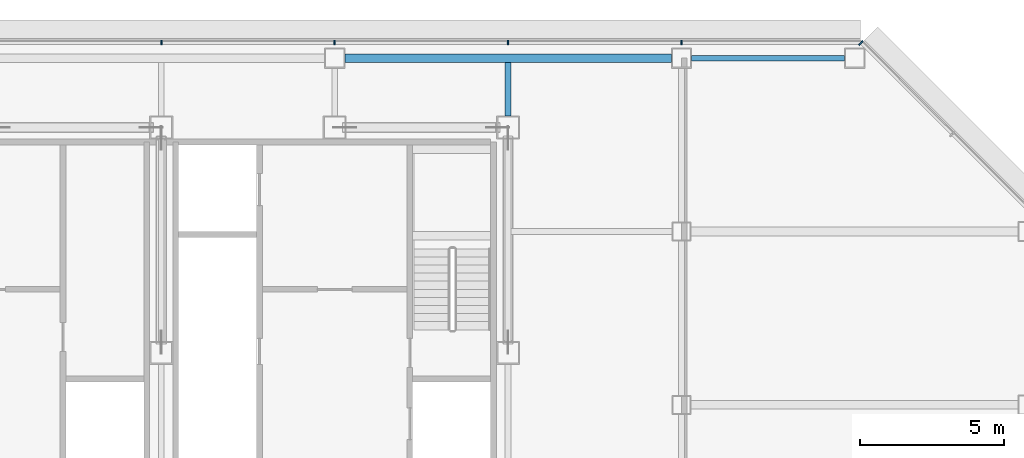
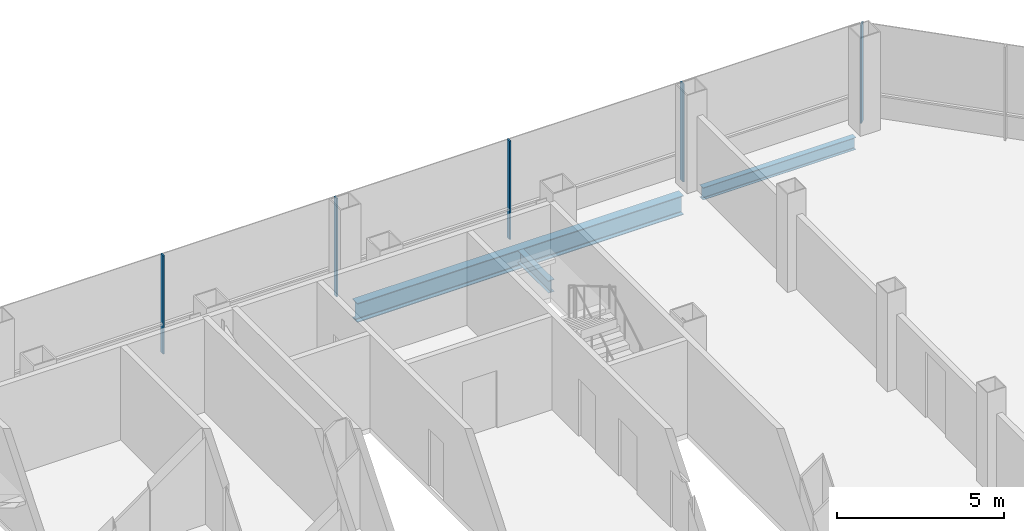
# One storey, part 14 of 24: 5 members, 3 beams, 2 elements without a shape of their own.
"""IFC4 building model written with IfcOpenShell, lengths in metres."""

from ifc_helpers import new_model, si_unit, direction, frame, origin, origin_2d, place, context, subcontext, project, spatial, rectangle, i_section, extrude, material, material_profile, profile_set, type_object, element, aggregate, save


model = new_model("IFC4")

# Units and contexts
model_context = context("Model", 3, precision=1e-05, world=origin(), true_north=direction((0.0, 1.0)))
body_context = subcontext(model_context, "Body", "Model", "MODEL_VIEW")
ifc_project = project(units=[si_unit("LENGTHUNIT", "METRE"), si_unit("AREAUNIT", "SQUARE_METRE"), si_unit("VOLUMEUNIT", "CUBIC_METRE"), si_unit("PLANEANGLEUNIT", "RADIAN"), si_unit("MASSUNIT", "GRAM", prefix="KILO")], contexts=[model_context])

# Site, building, storey
site_placement = place(None, origin())
site = spatial("IfcSite", under=ifc_project, at=site_placement, CompositionType="ELEMENT")
building_placement = place(site_placement, origin())
building = spatial("IfcBuilding", under=site, at=building_placement, Name="Sorahane Residences", CompositionType="ELEMENT")
storey_placement = place(building_placement, frame((0.0, 0.0, 174.39990234375)))
storey = spatial("IfcBuildingStorey", under=building, at=storey_placement, Name="L40", CompositionType="ELEMENT", Elevation=174.39990234375)

# Curtain wall, members
ifc_material_1 = material(Name="Dark low-e glass and black anodised aluminium", Category="aluminium")
curtain_wall_type_1 = type_object("IfcCurtainWallType", Name="Curtain wall CW-1 Typical unitised wall", PredefinedType="NOTDEFINED", material=ifc_material_1)
curtain_wall_1_placement = place(storey_placement, origin())
curtain_wall_1 = element("IfcCurtainWall", 1, at=curtain_wall_1_placement, inside=storey, type_object=curtain_wall_type_1, Name="CW-1 curtain wall L40 N1", PredefinedType="NOTDEFINED")
ifc_material_2 = material(Name="Black anodised aluminium", Category="aluminium")
ifc_material_profile_1 = material_profile(ifc_material_2, rectangle(XDim=0.159912109375, YDim=0.050048828125, at=origin_2d()), Name="Curtain wall mullion CW-1 black anodised aluminium 50x160")
ifc_profile_set_1 = profile_set([ifc_material_profile_1], Name="Black anodised aluminium")
member_type_1 = type_object("IfcMemberType", Name="Curtain wall mullion CW-1 black anodised aluminium 50x160", PredefinedType="MULLION", material=ifc_profile_set_1)
member_1_placement = place(storey_placement, frame((48.0, 48.5400390625, -0.179931640625), z_axis=(0.0, 0.0, 1.0), x_axis=(0.0, 1.0, 0.0)))
member_1 = element("IfcMember", 2, at=member_1_placement, type_object=member_type_1, Name="CW-1 mullion L40 N1.2", PredefinedType="MULLION", context=body_context, shape_type="SweptSolid", body=[
    extrude(rectangle(XDim=0.159912109375, YDim=0.050048828125, at=origin_2d()), origin(), (0.0, 0.0, 1.0), 3.60009765625),
])
member_2_placement = place(storey_placement, frame((42.0, 48.5400390625, -0.179931640625), z_axis=(0.0, 0.0, 1.0), x_axis=(0.0, 1.0, 0.0)))
member_2 = element("IfcMember", 3, at=member_2_placement, type_object=member_type_1, Name="CW-1 mullion L40 N1.3", PredefinedType="MULLION", context=body_context, shape_type="SweptSolid", body=[
    extrude(rectangle(XDim=0.159912109375, YDim=0.050048828125, at=origin_2d()), origin(), (0.0, 0.0, 1.0), 3.60009765625),
])
member_3_placement = place(storey_placement, frame((36.0, 48.5400390625, -0.179931640625), z_axis=(0.0, 0.0, 1.0), x_axis=(0.0, 1.0, 0.0)))
member_3 = element("IfcMember", 4, at=member_3_placement, type_object=member_type_1, Name="CW-1 mullion L40 N1.4", PredefinedType="MULLION", context=body_context, shape_type="SweptSolid", body=[
    extrude(rectangle(XDim=0.159912109375, YDim=0.050048828125, at=origin_2d()), origin(), (0.0, 0.0, 1.0), 3.60009765625),
])
member_4_placement = place(storey_placement, frame((30.0, 48.5400390625, -0.179931640625), z_axis=(0.0, 0.0, 1.0), x_axis=(0.0, 1.0, 0.0)))
member_4 = element("IfcMember", 5, at=member_4_placement, type_object=member_type_1, Name="CW-1 mullion L40 N1.5", PredefinedType="MULLION", context=body_context, shape_type="SweptSolid", body=[
    extrude(rectangle(XDim=0.159912109375, YDim=0.050048828125, at=origin_2d()), origin(), (0.0, 0.0, 1.0), 3.60009765625),
])
aggregate(curtain_wall_1, [member_1, member_2, member_3, member_4])

# Curtain wall, member
ifc_material_3 = material(Name="Dark low-e glass and black anodised aluminium", Category="aluminium")
curtain_wall_type_2 = type_object("IfcCurtainWallType", Name="Curtain wall CW-2 Chamfer unitised wall", PredefinedType="NOTDEFINED", material=ifc_material_3)
curtain_wall_2_placement = place(storey_placement, origin())
curtain_wall_2 = element("IfcCurtainWall", 6, at=curtain_wall_2_placement, inside=storey, type_object=curtain_wall_type_2, Name="CW-2 curtain wall L40 NE1", PredefinedType="NOTDEFINED")
ifc_material_4 = material(Name="Black anodised aluminium", Category="aluminium")
ifc_material_profile_2 = material_profile(ifc_material_4, rectangle(XDim=0.199951171875, YDim=0.050048828125, at=origin_2d()), Name="Curtain wall mullion CW-2 black anodised aluminium 50x200")
ifc_profile_set_2 = profile_set([ifc_material_profile_2], Name="Black anodised aluminium")
member_type_2 = type_object("IfcMemberType", Name="Curtain wall mullion CW-2 black anodised aluminium 50x200", PredefinedType="MULLION", material=ifc_profile_set_2)
member_5_placement = place(storey_placement, frame((54.209716796875, 48.525634765625, -0.179931640625), z_axis=(0.0, 0.0, 1.0), x_axis=(0.707106781187, 0.707106781187, 0.0)))
member_5 = element("IfcMember", 7, at=member_5_placement, type_object=member_type_2, Name="CW-2 mullion L40 NE1.3", PredefinedType="MULLION", context=body_context, shape_type="SweptSolid", body=[
    extrude(rectangle(XDim=0.199951171875, YDim=0.050048828125, at=origin_2d()), origin(), (0.0, 0.0, 1.0), 3.60009765625),
])
aggregate(curtain_wall_2, [member_5])

# Beams
ifc_material_5 = material(Name="Steel Q355B", Category="steel")
ifc_material_profile_3 = material_profile(ifc_material_5, i_section(OverallWidth=0.199951171875, OverallDepth=0.449951171875, WebThickness=0.009033203125, FlangeThickness=0.013916015625, FilletRadius=0.02001953125, at=origin_2d()), Name="HN 450x200x9x14")
ifc_profile_set_3 = profile_set([ifc_material_profile_3], Name="Steel Q355B")
beam_type_1 = type_object("IfcBeamType", Name="Steel floor beam HN 450x200x9x14 Q355B", PredefinedType="BEAM", material=ifc_profile_set_3)
beam_1_placement = place(storey_placement, frame((48.35009765625, 48.0, -0.40478515625), z_axis=(1.0, 0.0, 0.0), x_axis=(0.0, 1.0, 0.0)))
element("IfcBeam", 8, at=beam_1_placement, inside=storey, type_object=beam_type_1, Name="Beam L40 019", PredefinedType="BEAM", context=body_context, shape_type="SweptSolid", body=[
    extrude(i_section(OverallWidth=0.199951171875, OverallDepth=0.449951171875, WebThickness=0.009033203125, FlangeThickness=0.013916015625, FilletRadius=0.02001953125, at=origin_2d()), origin(), (0.0, 0.0, 1.0), 5.2998046875),
])
beam_2_placement = place(storey_placement, frame((42.0, 46.0, -0.40478515625), z_axis=(0.0, 1.0, 0.0), x_axis=(-1.0, 0.0, 0.0)))
element("IfcBeam", 9, at=beam_2_placement, inside=storey, type_object=beam_type_1, Name="Beam L40 057", PredefinedType="BEAM", context=body_context, shape_type="SweptSolid", body=[
    extrude(i_section(OverallWidth=0.199951171875, OverallDepth=0.449951171875, WebThickness=0.009033203125, FlangeThickness=0.013916015625, FilletRadius=0.02001953125, at=origin_2d()), origin(), (0.0, 0.0, 1.0), 1.85009765625),
])
ifc_material_6 = material(Name="Steel Q355B", Category="steel")
ifc_material_profile_4 = material_profile(ifc_material_6, i_section(OverallWidth=0.300048828125, OverallDepth=0.699951171875, WebThickness=0.012939453125, FlangeThickness=0.02392578125, FilletRadius=0.028076171875, at=origin_2d()), Name="HN 700x300x13x24")
ifc_profile_set_4 = profile_set([ifc_material_profile_4], Name="Steel Q355B")
beam_type_2 = type_object("IfcBeamType", Name="Steel floor beam HN 700x300x13x24 Q355B", PredefinedType="BEAM", material=ifc_profile_set_4)
beam_3_placement = place(storey_placement, frame((36.35009765625, 48.0, -0.52978515625), z_axis=(1.0, 0.0, 0.0), x_axis=(0.0, 1.0, 0.0)))
element("IfcBeam", 10, at=beam_3_placement, inside=storey, type_object=beam_type_2, Name="Beam L40 018", PredefinedType="BEAM", context=body_context, shape_type="SweptSolid", body=[
    extrude(i_section(OverallWidth=0.300048828125, OverallDepth=0.699951171875, WebThickness=0.012939453125, FlangeThickness=0.02392578125, FilletRadius=0.028076171875, at=origin_2d()), origin(), (0.0, 0.0, 1.0), 11.2998046875),
])

save(model, "model.ifc")
